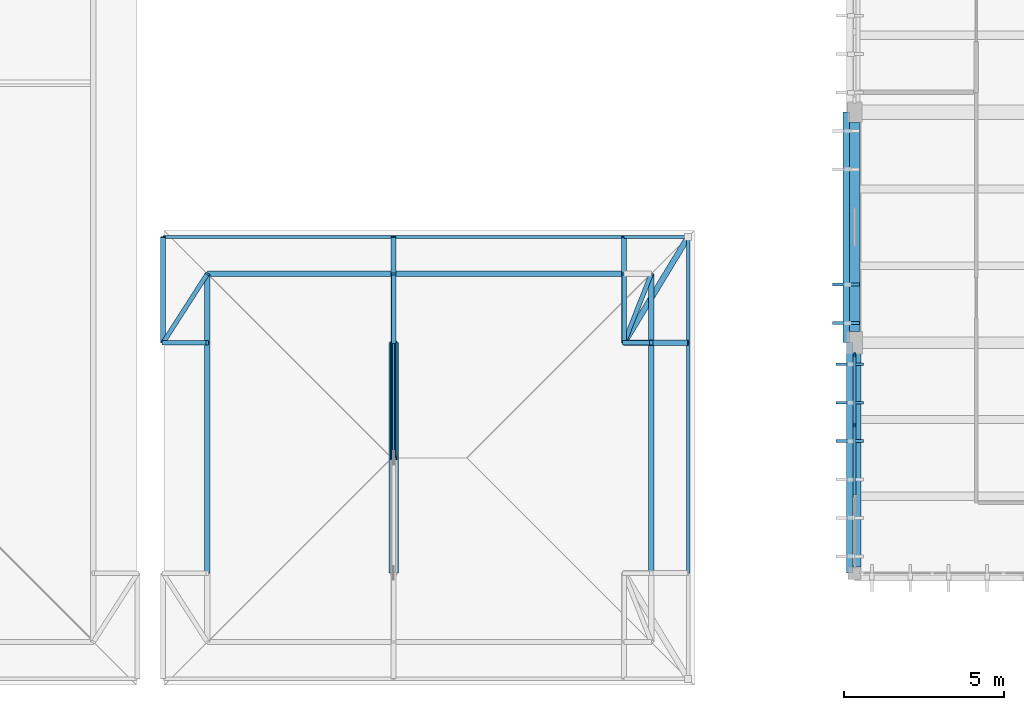
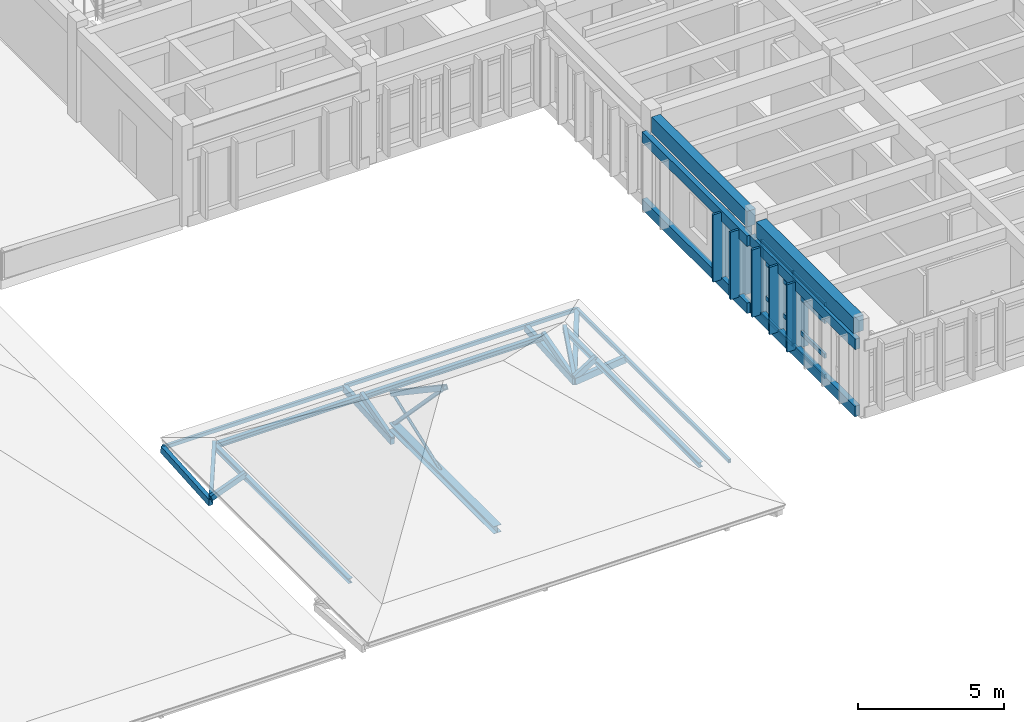
# One storey, part 5 of 51: 40 members, 7 beams, 1 element without a shape of its own.
"""IFC4 building model written with IfcOpenShell, lengths in metres."""

from ifc_helpers import new_model, si_unit, direction, frame, origin, origin_2d, place, context, subcontext, project, spatial, rectangle, hollow_rectangle, hollow_circle, i_section, extrude, material, material_profile, profile_set, type_object, element, aggregate, save


model = new_model("IFC4")

# Units and contexts
model_context = context("Model", 3, precision=1e-05, world=origin(), true_north=direction((0.0, 1.0)))
body_context = subcontext(model_context, "Body", "Model", "MODEL_VIEW")
ifc_project = project(units=[si_unit("LENGTHUNIT", "METRE"), si_unit("AREAUNIT", "SQUARE_METRE"), si_unit("VOLUMEUNIT", "CUBIC_METRE"), si_unit("PLANEANGLEUNIT", "RADIAN"), si_unit("MASSUNIT", "GRAM", prefix="KILO")], contexts=[model_context])

# Site, building, storey
site_placement = place(None, origin())
site = spatial("IfcSite", under=ifc_project, at=site_placement, CompositionType="ELEMENT")
building_placement = place(site_placement, origin())
building = spatial("IfcBuilding", under=site, at=building_placement, Name="Steenspoor Specialist Clinic", CompositionType="ELEMENT")
storey_placement = place(building_placement, frame((0.0, 0.0, 17.39990234375)))
storey = spatial("IfcBuildingStorey", under=building, at=storey_placement, Name="L04", CompositionType="ELEMENT", Elevation=17.39990234375)

# Beams
ifc_material_1 = material(Name="Glulam GL28h", Category="wood")
ifc_material_profile_1 = material_profile(ifc_material_1, rectangle(XDim=0.199951171875, YDim=0.43994140625, at=origin_2d()), Name="GL28H-200X440")
ifc_profile_set_1 = profile_set([ifc_material_profile_1], Name="Glulam GL28h")
beam_type_1 = type_object("IfcBeamType", Name="BM-GL-200X440", PredefinedType="BEAM", material=ifc_profile_set_1)
for number, where, z_axis, x_axis, name in (
    (1, (73.85009765625, 72.35009765625, 0.14013671875), (0.0, 1.0, 0.0), (-1.0, 0.0, 0.0), "Timber Screen Tie Rail V4 L04 23"),
    (2, (73.85009765625, 72.35009765625, 2.9501953125), (0.0, 1.0, 0.0), (-1.0, 0.0, 0.0), "Timber Screen Tie Rail V4 L04 24"),
    (3, (73.735107421875, 79.550048828125, 0.14013671875), (0.0, 1.0, 0.0), (-1.0, 0.0, 0.0), "Timber Screen Tie Rail V4 L04 31"),
    (4, (73.735107421875, 79.550048828125, 2.9501953125), (0.0, 1.0, 0.0), (-1.0, 0.0, 0.0), "Timber Screen Tie Rail V4 L04 32"),
):
    element("IfcBeam", number, at=place(storey_placement, frame(where, z_axis=z_axis, x_axis=x_axis)), inside=storey, type_object=beam_type_1, Name=name, PredefinedType="BEAM", context=body_context, shape_type="SweptSolid", body=[
        extrude(rectangle(XDim=0.199951171875, YDim=0.43994140625, at=origin_2d()), origin(), (0.0, 0.0, 1.0), 7.199951171875),
    ])
ifc_material_2 = material(Name="Concrete C35/45", Category="concrete")
ifc_material_profile_2 = material_profile(ifc_material_2, rectangle(XDim=0.35009765625, YDim=0.64990234375, at=origin_2d()), Name="RC-BM-350X650")
ifc_profile_set_2 = profile_set([ifc_material_profile_2], Name="Concrete C35/45")
beam_type_2 = type_object("IfcBeamType", Name="BM-RC-350X650", PredefinedType="BEAM", material=ifc_profile_set_2)
beam_1_placement = place(storey_placement, frame((74.0, 79.89501953125, 3.59521484375), z_axis=(0.0, 1.0, 0.0), x_axis=(-1.0, 0.0, 0.0)))
element("IfcBeam", 5, at=beam_1_placement, inside=storey, type_object=beam_type_2, Name="BM-V4-L04-Y0943", PredefinedType="BEAM", context=body_context, shape_type="SweptSolid", body=[
    extrude(rectangle(XDim=0.35009765625, YDim=0.64990234375, at=origin_2d()), origin(), (0.0, 0.0, 1.0), 6.534912109375),
])
ifc_material_profile_3 = material_profile(ifc_material_2, rectangle(XDim=0.39990234375, YDim=0.64990234375, at=origin_2d()), Name="RC-BM-400X650")
ifc_profile_set_3 = profile_set([ifc_material_profile_3], Name="Concrete C35/45")
beam_type_3 = type_object("IfcBeamType", Name="BM-RC-400X650", PredefinedType="BEAM", material=ifc_profile_set_3)
beam_2_placement = place(storey_placement, frame((74.0, 72.544921875, 3.59521484375), z_axis=(0.0, 1.0, 0.0), x_axis=(-1.0, 0.0, 0.0)))
element("IfcBeam", 6, at=beam_2_placement, inside=storey, type_object=beam_type_3, Name="BM-V4-L04-Y0942", PredefinedType="BEAM", context=body_context, shape_type="SweptSolid", body=[
    extrude(rectangle(XDim=0.39990234375, YDim=0.64990234375, at=origin_2d()), origin(), (0.0, 0.0, 1.0), 6.66015625),
])
ifc_material_3 = material(Name="Steel A992 Grade 50", Category="steel")
ifc_material_profile_4 = material_profile(ifc_material_3, i_section(OverallWidth=0.304931640625, OverallDepth=0.30810546875, WebThickness=0.010009765625, FlangeThickness=0.015380859375, at=origin_2d()), Name="W310X97")
ifc_profile_set_4 = profile_set([ifc_material_profile_4], Name="Steel A992 Grade 50")
beam_type_4 = type_object("IfcBeamType", Name="BM-ST-W310X97", PredefinedType="BEAM", material=ifc_profile_set_4)
beam_3_placement = place(storey_placement, frame((59.60009765625, 72.35009765625, 0.174072265625), z_axis=(0.0, 1.0, 0.0), x_axis=(-1.0, 0.0, 0.0)))
element("IfcBeam", 7, at=beam_3_placement, inside=storey, type_object=beam_type_4, Name="ROOF TRUSS Bottom Tie Chord V4T2W 2", PredefinedType="BEAM", context=body_context, shape_type="SweptSolid", body=[
    extrude(i_section(OverallWidth=0.304931640625, OverallDepth=0.30810546875, WebThickness=0.010009765625, FlangeThickness=0.015380859375, at=origin_2d()), origin(), (0.0, 0.0, 1.0), 7.199951171875),
])

# Curtain wall, members
ifc_material_4 = material(Name="Thermally broken aluminium and low-emissivity glass", Category="aluminium")
curtain_wall_type = type_object("IfcCurtainWallType", Name="CW-L00-660X415", PredefinedType="USERDEFINED", material=ifc_material_4)
curtain_wall_placement = place(storey_placement, origin())
curtain_wall = element("IfcCurtainWall", 8, at=curtain_wall_placement, inside=storey, type_object=curtain_wall_type, Name="Unitised Curtain Wall CW-V4-L04-124", ObjectType="UNITISED GLAZING", PredefinedType="USERDEFINED")
ifc_material_5 = material(Name="Thermally broken aluminium 6063-T6", Category="aluminium")
ifc_material_profile_5 = material_profile(ifc_material_5, rectangle(XDim=0.06005859375, YDim=0.135009765625, at=origin_2d()), Name="CWM-60X135")
ifc_profile_set_5 = profile_set([ifc_material_profile_5], Name="Thermally broken aluminium 6063-T6")
member_type_1 = type_object("IfcMemberType", Name="CW-MULL-60X135", PredefinedType="MULLION", material=ifc_profile_set_5)
member_1_placement = place(storey_placement, frame((74.0, 76.9833984375, 0.0), z_axis=(0.0, 0.0, 1.0), x_axis=(-1.0, 0.0, 0.0)))
member_1 = element("IfcMember", 9, at=member_1_placement, type_object=member_type_1, Name="CW-04 mullion 3", PredefinedType="MULLION", context=body_context, shape_type="SweptSolid", body=[
    extrude(rectangle(XDim=0.06005859375, YDim=0.135009765625, at=origin_2d()), origin(), (0.0, 0.0, 1.0), 3.10009765625),
])
member_2_placement = place(storey_placement, frame((74.0, 79.169921875, 0.0), z_axis=(0.0, 0.0, 1.0), x_axis=(-1.0, 0.0, 0.0)))
member_2 = element("IfcMember", 10, at=member_2_placement, type_object=member_type_1, Name="CW-04 mullion 4", PredefinedType="MULLION", context=body_context, shape_type="SweptSolid", body=[
    extrude(rectangle(XDim=0.06005859375, YDim=0.135009765625, at=origin_2d()), origin(), (0.0, 0.0, 1.0), 3.10009765625),
])
ifc_material_profile_6 = material_profile(ifc_material_5, rectangle(XDim=0.090087890625, YDim=0.175048828125, at=origin_2d()), Name="CWT-90X175")
ifc_profile_set_6 = profile_set([ifc_material_profile_6], Name="Thermally broken aluminium 6063-T6")
member_type_2 = type_object("IfcMemberType", Name="CW-TRAN-90X175", PredefinedType="USERDEFINED", material=ifc_profile_set_6)
member_3_placement = place(storey_placement, frame((74.0, 74.796630859375, 0.045166015625), z_axis=(0.0, 1.0, 0.0), x_axis=(-1.0, 0.0, 0.0)))
member_3 = element("IfcMember", 11, at=member_3_placement, type_object=member_type_2, Name="CW-04 transom 2.1", ObjectType="TRANSOM", PredefinedType="USERDEFINED", context=body_context, shape_type="SweptSolid", body=[
    extrude(rectangle(XDim=0.090087890625, YDim=0.175048828125, at=origin_2d()), origin(), (0.0, 0.0, 1.0), 2.15673828125),
])
member_4_placement = place(storey_placement, frame((74.0, 74.796630859375, 0.900146484375), z_axis=(0.0, 1.0, 0.0), x_axis=(-1.0, 0.0, 0.0)))
member_4 = element("IfcMember", 12, at=member_4_placement, type_object=member_type_2, Name="CW-04 transom 2.2", ObjectType="TRANSOM", PredefinedType="USERDEFINED", context=body_context, shape_type="SweptSolid", body=[
    extrude(rectangle(XDim=0.090087890625, YDim=0.175048828125, at=origin_2d()), origin(), (0.0, 0.0, 1.0), 2.15673828125),
])
member_5_placement = place(storey_placement, frame((74.0, 74.796630859375, 2.35009765625), z_axis=(0.0, 1.0, 0.0), x_axis=(-1.0, 0.0, 0.0)))
member_5 = element("IfcMember", 13, at=member_5_placement, type_object=member_type_2, Name="CW-04 transom 2.3", ObjectType="TRANSOM", PredefinedType="USERDEFINED", context=body_context, shape_type="SweptSolid", body=[
    extrude(rectangle(XDim=0.090087890625, YDim=0.175048828125, at=origin_2d()), origin(), (0.0, 0.0, 1.0), 2.15673828125),
])
member_6_placement = place(storey_placement, frame((74.0, 74.796630859375, 3.05517578125), z_axis=(0.0, 1.0, 0.0), x_axis=(-1.0, 0.0, 0.0)))
member_6 = element("IfcMember", 14, at=member_6_placement, type_object=member_type_2, Name="CW-04 transom 2.4", ObjectType="TRANSOM", PredefinedType="USERDEFINED", context=body_context, shape_type="SweptSolid", body=[
    extrude(rectangle(XDim=0.090087890625, YDim=0.175048828125, at=origin_2d()), origin(), (0.0, 0.0, 1.0), 2.15673828125),
])
member_7_placement = place(storey_placement, frame((74.0, 77.013427734375, 0.045166015625), z_axis=(0.0, 1.0, 0.0), x_axis=(-1.0, 0.0, 0.0)))
member_7 = element("IfcMember", 15, at=member_7_placement, type_object=member_type_2, Name="CW-04 transom 3.1", ObjectType="TRANSOM", PredefinedType="USERDEFINED", context=body_context, shape_type="SweptSolid", body=[
    extrude(rectangle(XDim=0.090087890625, YDim=0.175048828125, at=origin_2d()), origin(), (0.0, 0.0, 1.0), 2.12646484375),
])
member_8_placement = place(storey_placement, frame((74.0, 77.013427734375, 0.900146484375), z_axis=(0.0, 1.0, 0.0), x_axis=(-1.0, 0.0, 0.0)))
member_8 = element("IfcMember", 16, at=member_8_placement, type_object=member_type_2, Name="CW-04 transom 3.2", ObjectType="TRANSOM", PredefinedType="USERDEFINED", context=body_context, shape_type="SweptSolid", body=[
    extrude(rectangle(XDim=0.090087890625, YDim=0.175048828125, at=origin_2d()), origin(), (0.0, 0.0, 1.0), 2.12646484375),
])
member_9_placement = place(storey_placement, frame((74.0, 77.013427734375, 2.35009765625), z_axis=(0.0, 1.0, 0.0), x_axis=(-1.0, 0.0, 0.0)))
member_9 = element("IfcMember", 17, at=member_9_placement, type_object=member_type_2, Name="CW-04 transom 3.3", ObjectType="TRANSOM", PredefinedType="USERDEFINED", context=body_context, shape_type="SweptSolid", body=[
    extrude(rectangle(XDim=0.090087890625, YDim=0.175048828125, at=origin_2d()), origin(), (0.0, 0.0, 1.0), 2.12646484375),
])
member_10_placement = place(storey_placement, frame((74.0, 77.013427734375, 3.05517578125), z_axis=(0.0, 1.0, 0.0), x_axis=(-1.0, 0.0, 0.0)))
member_10 = element("IfcMember", 18, at=member_10_placement, type_object=member_type_2, Name="CW-04 transom 3.4", ObjectType="TRANSOM", PredefinedType="USERDEFINED", context=body_context, shape_type="SweptSolid", body=[
    extrude(rectangle(XDim=0.090087890625, YDim=0.175048828125, at=origin_2d()), origin(), (0.0, 0.0, 1.0), 2.12646484375),
])
aggregate(curtain_wall, [member_1, member_2, member_3, member_4, member_5, member_6, member_7, member_8, member_9, member_10])

# Members
ifc_material_6 = material(Name="Steel A500 Grade C", Category="steel")
ifc_material_profile_7 = material_profile(ifc_material_6, hollow_rectangle(XDim=0.126953125, YDim=0.126953125, WallThickness=0.005859375, at=origin_2d()), Name="HSS127X127X6.4")
ifc_profile_set_7 = profile_set([ifc_material_profile_7], Name="Steel A500 Grade C")
member_type_3 = type_object("IfcMemberType", Name="MEM-BRACE-H127B", PredefinedType="BRACE", material=ifc_profile_set_7)
member_11_placement = place(storey_placement, frame((59.60009765625, 75.949951171875, 3.93017578125), z_axis=(0.0, 0.691955301617, -0.721940344187), x_axis=(-1.0, 0.0, 0.0)))
element("IfcMember", 19, at=member_11_placement, inside=storey, type_object=member_type_3, Name="ROOF TRUSS Web Brace V4T2W 2.2", PredefinedType="BRACE", context=body_context, shape_type="SweptSolid", body=[
    extrude(hollow_rectangle(XDim=0.126953125, YDim=0.126953125, WallThickness=0.005859375, at=origin_2d()), origin(), (0.0, 0.0, 1.0), 5.202880859375),
])
ifc_material_profile_8 = material_profile(ifc_material_6, hollow_rectangle(XDim=0.203125, YDim=0.203125, WallThickness=0.01171875, at=origin_2d()), Name="HSS203X203X12.7")
ifc_profile_set_8 = profile_set([ifc_material_profile_8], Name="Steel A500 Grade C")
member_type_4 = type_object("IfcMemberType", Name="MEM-CHORD-H203", PredefinedType="CHORD", material=ifc_profile_set_8)
member_12_placement = place(storey_placement, frame((59.60009765625, 75.949951171875, 3.93017578125), z_axis=(0.0, 0.830035756914, -0.557710177641), x_axis=(-1.0, 0.0, 0.0)))
element("IfcMember", 20, at=member_12_placement, inside=storey, type_object=member_type_4, Name="ROOF TRUSS Top Chord V4T2W 2.2", PredefinedType="CHORD", context=body_context, shape_type="SweptSolid", body=[
    extrude(hollow_rectangle(XDim=0.203125, YDim=0.203125, WallThickness=0.01171875, at=origin_2d()), origin(), (0.0, 0.0, 1.0), 4.337158203125),
])
ifc_material_profile_9 = material_profile(ifc_material_6, hollow_rectangle(XDim=0.1015625, YDim=0.15234375, WallThickness=0.005859375, at=origin_2d()), Name="HSS152X102X6.4")
ifc_profile_set_9 = profile_set([ifc_material_profile_9], Name="Steel A500 Grade C")
member_type_5 = type_object("IfcMemberType", Name="MEM-PURLIN-H152", PredefinedType="PURLIN", material=ifc_profile_set_9)
member_13_placement = place(storey_placement, frame((52.39990234375, 82.85009765625, -0.2431640625), z_axis=(1.0, 0.0, 0.0), x_axis=(0.0, 1.0, 0.0)))
element("IfcMember", 21, at=member_13_placement, inside=storey, type_object=member_type_5, Name="ROOF TRUSS Eave Fascia 236", PredefinedType="PURLIN", context=body_context, shape_type="SweptSolid", body=[
    extrude(hollow_rectangle(XDim=0.1015625, YDim=0.15234375, WallThickness=0.005859375, at=origin_2d()), origin(), (0.0, 0.0, 1.0), 7.2001953125),
])
member_14_placement = place(storey_placement, frame((59.60009765625, 82.85009765625, -0.19482421875), z_axis=(1.0, 0.0, 0.0), x_axis=(0.0, 1.0, 0.0)))
element("IfcMember", 22, at=member_14_placement, inside=storey, type_object=member_type_5, Name="ROOF TRUSS Eave Fascia 237", PredefinedType="PURLIN", context=body_context, shape_type="SweptSolid", body=[
    extrude(hollow_rectangle(XDim=0.1015625, YDim=0.15234375, WallThickness=0.005859375, at=origin_2d()), origin(), (0.0, 0.0, 1.0), 7.199951171875),
])
member_15_placement = place(storey_placement, frame((66.800048828125, 82.85009765625, -0.19482421875), z_axis=(1.0, 0.0, 0.0), x_axis=(0.0, 1.0, 0.0)))
element("IfcMember", 23, at=member_15_placement, inside=storey, type_object=member_type_5, Name="ROOF TRUSS Eave Fascia 238", PredefinedType="PURLIN", context=body_context, shape_type="SweptSolid", body=[
    extrude(hollow_rectangle(XDim=0.1015625, YDim=0.15234375, WallThickness=0.005859375, at=origin_2d()), origin(), (0.0, 0.0, 1.0), 2.0),
])
member_16_placement = place(storey_placement, frame((68.800048828125, 72.35009765625, -0.19482421875), z_axis=(0.0, 1.0, 0.0), x_axis=(-1.0, 0.0, 0.0)))
element("IfcMember", 24, at=member_16_placement, inside=storey, type_object=member_type_5, Name="ROOF TRUSS Eave Fascia 240", PredefinedType="PURLIN", context=body_context, shape_type="SweptSolid", body=[
    extrude(hollow_rectangle(XDim=0.1015625, YDim=0.15234375, WallThickness=0.005859375, at=origin_2d()), origin(), (0.0, 0.0, 1.0), 7.199951171875),
])
member_17_placement = place(storey_placement, frame((68.800048828125, 79.550048828125, -0.19482421875), z_axis=(0.0, 1.0, 0.0), x_axis=(-1.0, 0.0, 0.0)))
element("IfcMember", 25, at=member_17_placement, inside=storey, type_object=member_type_5, Name="ROOF TRUSS Eave Fascia 241", PredefinedType="PURLIN", context=body_context, shape_type="SweptSolid", body=[
    extrude(hollow_rectangle(XDim=0.1015625, YDim=0.15234375, WallThickness=0.005859375, at=origin_2d()), origin(), (0.0, 0.0, 1.0), 3.300048828125),
])
ifc_material_profile_10 = material_profile(ifc_material_3, i_section(OverallWidth=0.1650390625, OverallDepth=0.200927734375, WebThickness=0.006103515625, FlangeThickness=0.01025390625, at=origin_2d()), Name="W200X36")
ifc_profile_set_10 = profile_set([ifc_material_profile_10], Name="Steel A992 Grade 50")
member_type_6 = type_object("IfcMemberType", Name="MEM-PURLIN-W200", PredefinedType="PURLIN", material=ifc_profile_set_10)
member_18_placement = place(storey_placement, frame((53.780029296875, 81.699951171875, 0.052490234375), z_axis=(1.0, 0.0, 0.0), x_axis=(0.0, 1.0, 0.0)))
element("IfcMember", 26, at=member_18_placement, inside=storey, type_object=member_type_6, Name="ROOF TRUSS Knuckle Purlin 243", PredefinedType="PURLIN", context=body_context, shape_type="SweptSolid", body=[
    extrude(i_section(OverallWidth=0.1650390625, OverallDepth=0.200927734375, WebThickness=0.006103515625, FlangeThickness=0.01025390625, at=origin_2d()), origin(), (0.0, 0.0, 1.0), 5.820068359375),
])
for number, where, z_axis, x_axis, name in (
    (27, (59.60009765625, 81.699951171875, 0.052490234375), (1.0, 0.0, 0.0), (0.0, 1.0, 0.0), "ROOF TRUSS Knuckle Purlin 245"),
    (28, (53.780029296875, 72.35009765625, 0.052490234375), (0.0, 1.0, 0.0), (-1.0, 0.0, 0.0), "ROOF TRUSS Knuckle Purlin 249"),
):
    element("IfcMember", number, at=place(storey_placement, frame(where, z_axis=z_axis, x_axis=x_axis)), inside=storey, type_object=member_type_6, Name=name, PredefinedType="PURLIN", context=body_context, shape_type="SweptSolid", body=[
        extrude(i_section(OverallWidth=0.1650390625, OverallDepth=0.200927734375, WebThickness=0.006103515625, FlangeThickness=0.01025390625, at=origin_2d()), origin(), (0.0, 0.0, 1.0), 7.199951171875),
    ])
member_19_placement = place(storey_placement, frame((53.780029296875, 79.550048828125, 0.052490234375), z_axis=(0.0, 1.0, 0.0), x_axis=(-1.0, 0.0, 0.0)))
element("IfcMember", 29, at=member_19_placement, inside=storey, type_object=member_type_6, Name="ROOF TRUSS Knuckle Purlin 250", PredefinedType="PURLIN", context=body_context, shape_type="SweptSolid", body=[
    extrude(i_section(OverallWidth=0.1650390625, OverallDepth=0.200927734375, WebThickness=0.006103515625, FlangeThickness=0.01025390625, at=origin_2d()), origin(), (0.0, 0.0, 1.0), 2.14990234375),
])
member_20_placement = place(storey_placement, frame((67.64990234375, 72.35009765625, 0.052490234375), z_axis=(0.0, 1.0, 0.0), x_axis=(-1.0, 0.0, 0.0)))
element("IfcMember", 30, at=member_20_placement, inside=storey, type_object=member_type_6, Name="ROOF TRUSS Knuckle Purlin 252", PredefinedType="PURLIN", context=body_context, shape_type="SweptSolid", body=[
    extrude(i_section(OverallWidth=0.1650390625, OverallDepth=0.200927734375, WebThickness=0.006103515625, FlangeThickness=0.01025390625, at=origin_2d()), origin(), (0.0, 0.0, 1.0), 7.199951171875),
])
member_21_placement = place(storey_placement, frame((67.64990234375, 79.550048828125, 0.052490234375), z_axis=(0.0, 1.0, 0.0), x_axis=(-1.0, 0.0, 0.0)))
element("IfcMember", 31, at=member_21_placement, inside=storey, type_object=member_type_6, Name="ROOF TRUSS Knuckle Purlin 253", PredefinedType="PURLIN", context=body_context, shape_type="SweptSolid", body=[
    extrude(i_section(OverallWidth=0.1650390625, OverallDepth=0.200927734375, WebThickness=0.006103515625, FlangeThickness=0.01025390625, at=origin_2d()), origin(), (0.0, 0.0, 1.0), 2.14990234375),
])
ifc_material_profile_11 = material_profile(ifc_material_1, rectangle(XDim=0.139892578125, YDim=0.219970703125, at=origin_2d()), Name="GL28H-140X220")
ifc_profile_set_11 = profile_set([ifc_material_profile_11], Name="Glulam GL28h")
member_type_7 = type_object("IfcMemberType", Name="MEM-RAFTER-GL220", PredefinedType="RAFTER", material=ifc_profile_set_11)
for number, where, z_axis, x_axis, name in (
    (32, (59.60009765625, 79.550048828125, -0.42041015625), (0.0, 0.963521044705, 0.26763257726), (-1.0, 0.0, 0.0), "ROOF TRUSS Knuckle Rafter V4T2W 140"),
    (33, (66.800048828125, 79.550048828125, -0.42041015625), (0.0, 0.963521044705, 0.26763257726), (-1.0, 0.0, 0.0), "ROOF TRUSS Knuckle Rafter V4T2W 144"),
):
    element("IfcMember", number, at=place(storey_placement, frame(where, z_axis=z_axis, x_axis=x_axis)), inside=storey, type_object=member_type_7, Name=name, PredefinedType="RAFTER", context=body_context, shape_type="SweptSolid", body=[
        extrude(rectangle(XDim=0.139892578125, YDim=0.219970703125, at=origin_2d()), origin(), (0.0, 0.0, 1.0), 2.231201171875),
    ])
member_22_placement = place(storey_placement, frame((52.39990234375, 79.550048828125, -0.347412109375), z_axis=(0.934846165702, 0.0, 0.35505301924), x_axis=(0.0, 1.0, 0.0)))
element("IfcMember", 34, at=member_22_placement, inside=storey, type_object=member_type_7, Name="ROOF TRUSS Knuckle Rafter V4T2W 146", PredefinedType="RAFTER", context=body_context, shape_type="SweptSolid", body=[
    extrude(rectangle(XDim=0.139892578125, YDim=0.219970703125, at=origin_2d()), origin(), (0.0, 0.0, 1.0), 1.476318359375),
])
member_23_placement = place(storey_placement, frame((66.800048828125, 79.550048828125, -0.347412109375), z_axis=(0.851128992295, 0.0, 0.524956606279), x_axis=(0.0, 1.0, 0.0)))
element("IfcMember", 35, at=member_23_placement, inside=storey, type_object=member_type_7, Name="ROOF TRUSS Knuckle Rafter V4T2W 150", PredefinedType="RAFTER", context=body_context, shape_type="SweptSolid", body=[
    extrude(rectangle(XDim=0.139892578125, YDim=0.219970703125, at=origin_2d()), origin(), (0.0, 0.0, 1.0), 0.99853515625),
])
member_24_placement = place(storey_placement, frame((52.39990234375, 79.550048828125, -0.45849609375), z_axis=(0.524252578867, 0.816658094729, 0.241306423176), x_axis=(-0.841526053449, 0.540216531927, 0.0)))
element("IfcMember", 36, at=member_24_placement, inside=storey, type_object=member_type_7, Name="ROOF TRUSS Corner Knuckle Rafter V4T2W 152", PredefinedType="RAFTER", context=body_context, shape_type="SweptSolid", body=[
    extrude(rectangle(XDim=0.139892578125, YDim=0.219970703125, at=origin_2d()), origin(), (0.0, 0.0, 1.0), 2.632568359375),
])
member_25_placement = place(storey_placement, frame((66.800048828125, 79.550048828125, -0.409912109375), z_axis=(0.356323700503, 0.901403765191, 0.24597697567), x_axis=(-0.929976673982, 0.367618533061, 0.0)))
element("IfcMember", 37, at=member_25_placement, inside=storey, type_object=member_type_7, Name="ROOF TRUSS Corner Knuckle Rafter V4T2W 156", PredefinedType="RAFTER", context=body_context, shape_type="SweptSolid", body=[
    extrude(rectangle(XDim=0.139892578125, YDim=0.219970703125, at=origin_2d()), origin(), (0.0, 0.0, 1.0), 2.385009765625),
])
ifc_material_profile_12 = material_profile(ifc_material_1, rectangle(XDim=0.159912109375, YDim=0.280029296875, at=origin_2d()), Name="GL28H-160X280")
ifc_profile_set_12 = profile_set([ifc_material_profile_12], Name="Glulam GL28h")
member_type_8 = type_object("IfcMemberType", Name="MEM-RAFTER-GL280", PredefinedType="RAFTER", material=ifc_profile_set_12)
for number, where, z_axis, x_axis, name in (
    (38, (52.39990234375, 79.550048828125, -0.5400390625), (0.0, 0.997513468668, 0.070476093999), (-1.0, 0.0, 0.0), "ROOF TRUSS Flared Eave Glulam Outrigger V4T2W 136"),
    (39, (59.60009765625, 79.550048828125, -0.5), (0.0, 0.997513468668, 0.070476093999), (-1.0, 0.0, 0.0), "ROOF TRUSS Flared Eave Glulam Outrigger V4T2W 139"),
    (40, (66.800048828125, 79.550048828125, -0.5), (0.0, 0.997513468668, 0.070476093999), (-1.0, 0.0, 0.0), "ROOF TRUSS Flared Eave Glulam Outrigger V4T2W 143"),
):
    element("IfcMember", number, at=place(storey_placement, frame(where, z_axis=z_axis, x_axis=x_axis)), inside=storey, type_object=member_type_8, Name=name, PredefinedType="RAFTER", context=body_context, shape_type="SweptSolid", body=[
        extrude(rectangle(XDim=0.159912109375, YDim=0.280029296875, at=origin_2d()), origin(), (0.0, 0.0, 1.0), 3.308349609375),
    ])
member_26_placement = place(storey_placement, frame((66.800048828125, 79.550048828125, -0.5), z_axis=(0.993273369456, 0.0, 0.11579297703), x_axis=(0.0, 1.0, 0.0)))
element("IfcMember", 41, at=member_26_placement, inside=storey, type_object=member_type_8, Name="ROOF TRUSS Flared Eave Glulam Outrigger V4T2W 149", PredefinedType="RAFTER", context=body_context, shape_type="SweptSolid", body=[
    extrude(rectangle(XDim=0.159912109375, YDim=0.280029296875, at=origin_2d()), origin(), (0.0, 0.0, 1.0), 2.013427734375),
])
ifc_material_profile_13 = material_profile(ifc_material_1, rectangle(XDim=0.179931640625, YDim=0.360107421875, at=origin_2d()), Name="GL28H-180X360")
ifc_profile_set_13 = profile_set([ifc_material_profile_13], Name="Glulam GL28h")
member_type_9 = type_object("IfcMemberType", Name="MEM-RAFTER-GL360", PredefinedType="RAFTER", material=ifc_profile_set_13)
member_27_placement = place(storey_placement, frame((66.800048828125, 79.550048828125, -0.5), z_axis=(0.517656424832, 0.854145739069, 0.049667718496), x_axis=(-0.855201230787, 0.518296107317, 0.0)))
element("IfcMember", 42, at=member_27_placement, inside=storey, type_object=member_type_9, Name="ROOF TRUSS Corner Hip Outrigger V4T2W 155", PredefinedType="RAFTER", context=body_context, shape_type="SweptSolid", body=[
    extrude(rectangle(XDim=0.179931640625, YDim=0.360107421875, at=origin_2d()), origin(), (0.0, 0.0, 1.0), 3.863525390625),
])
ifc_material_profile_14 = material_profile(ifc_material_1, rectangle(XDim=0.090087890625, YDim=0.85009765625, at=origin_2d()), Name="GL28H-90X850")
ifc_profile_set_14 = profile_set([ifc_material_profile_14], Name="Glulam GL28h")
member_type_10 = type_object("IfcMemberType", Name="MEM-SCREEN-GL850", PredefinedType="STRUT", material=ifc_profile_set_14)
for number, where, z_axis, x_axis, name in (
    (43, (73.85009765625, 76.47509765625, 0.27001953125), (0.0, 0.0, 1.0), (0.0, 1.0, 0.0), "Glulam Timber Screen Fin SCR-FIN-V4-L04-0028"),
    (44, (73.85009765625, 77.675048828125, 0.27001953125), (0.0, 0.0, 1.0), (0.0, 1.0, 0.0), "Glulam Timber Screen Fin SCR-FIN-V4-L04-0029"),
    (45, (73.85009765625, 78.875, 0.27001953125), (0.0, 0.0, 1.0), (0.0, 1.0, 0.0), "Glulam Timber Screen Fin SCR-FIN-V4-L04-0030"),
    (46, (73.735107421875, 80.16259765625, 0.27001953125), (0.0, 0.0, 1.0), (0.0, 1.0, 0.0), "Glulam Timber Screen Fin SCR-FIN-V4-L04-0033"),
    (47, (73.735107421875, 81.362548828125, 0.27001953125), (0.0, 0.0, 1.0), (0.0, 1.0, 0.0), "Glulam Timber Screen Fin SCR-FIN-V4-L04-0034"),
):
    element("IfcMember", number, at=place(storey_placement, frame(where, z_axis=z_axis, x_axis=x_axis)), inside=storey, type_object=member_type_10, Name=name, PredefinedType="STRUT", context=body_context, shape_type="SweptSolid", body=[
        extrude(rectangle(XDim=0.090087890625, YDim=0.85009765625, at=origin_2d()), origin(), (0.0, 0.0, 1.0), 2.820068359375),
    ])
ifc_material_profile_15 = material_profile(ifc_material_6, hollow_circle(Radius=0.05712890625, WallThickness=0.006103515625, at=origin_2d()), Name="CHS114X6.0")
ifc_profile_set_15 = profile_set([ifc_material_profile_15], Name="Steel A500 Grade C")
member_type_11 = type_object("IfcMemberType", Name="MEM-STRUT-CHS114", PredefinedType="STRUT", material=ifc_profile_set_15)
member_28_placement = place(storey_placement, frame((59.60009765625, 75.949951171875, 0.174072265625), z_axis=(0.0, 0.937427050543, 0.348181741206), x_axis=(-1.0, 0.0, 0.0)))
element("IfcMember", 48, at=member_28_placement, inside=storey, type_object=member_type_11, Name="ROOF TRUSS Web Strut V4T2W 2.2", PredefinedType="STRUT", context=body_context, shape_type="SweptSolid", body=[
    extrude(hollow_circle(Radius=0.05712890625, WallThickness=0.006103515625, at=origin_2d()), origin(), (0.0, 0.0, 1.0), 3.84033203125),
])

save(model, "model.ifc")
